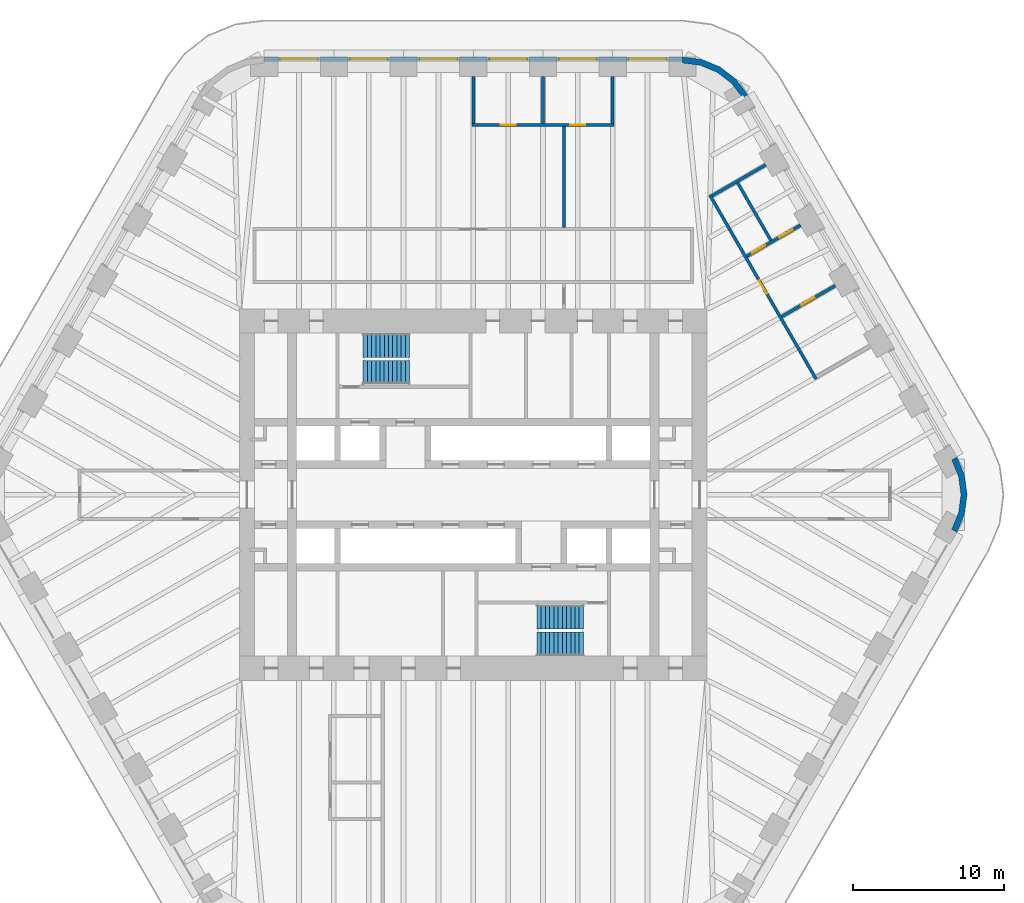
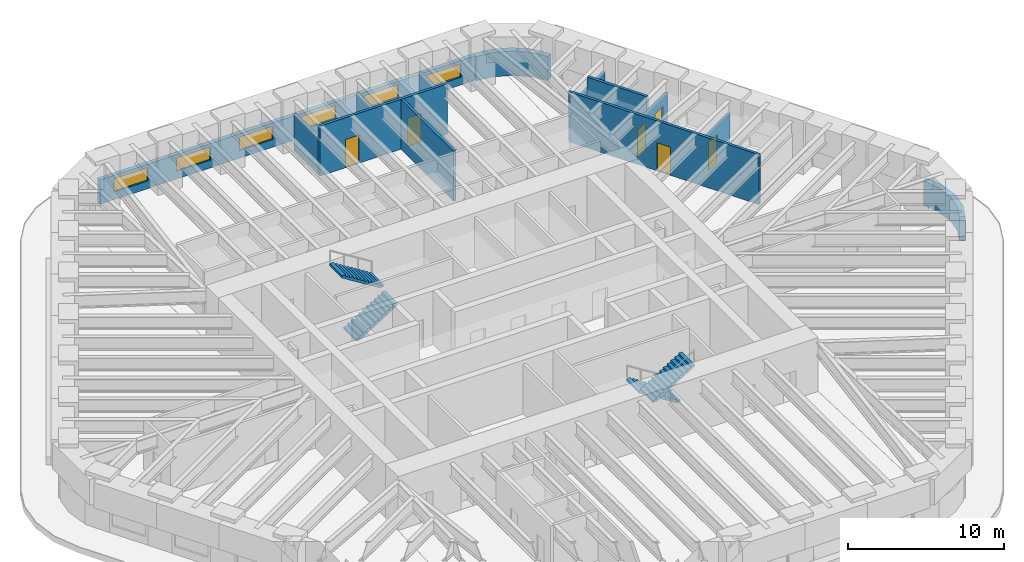
# One storey, part 10 of 12: 13 walls, 6 doors, 6 windows, 4 stair flights, 12 openings, 2 elements without a shape of their own.
"""IFC4 building model written with IfcOpenShell, lengths in metres."""

import ifcopenshell
import ifcopenshell.guid

model = None  # the IFC model being written
_history = None  # IfcOwnerHistory: only IFC2X3 demands one
_inside = {}  # id of a spatial element -> (the spatial element, [elements in it])
_under = {}  # id of a project, library or spatial element -> (it, [spatial elements below it])
_declared = {}  # id of a project -> (the project, [libraries it declares])
_typed = {}  # id of a type object -> (the type object, [elements of that type])
_made_of = {}  # id of a material, layer set ... -> (it, [elements and type objects made of it])


def new_model(schema):
    """Start an empty IFC model of exactly this schema.

    Asked for "IFC4X3", IfcOpenShell would pick the latest addendum, in which some entities
    have other attributes; the version numbers below select the first issue.
    IFC2X3 requires an IfcOwnerHistory on every rooted entity: one is made here for all.
    """
    global model, _history
    if schema == "IFC4X3":
        model = ifcopenshell.file(schema_version=(4, 3, 0, 0))
    else:
        model = ifcopenshell.file(schema=schema)
    _inside.clear()
    _under.clear()
    _declared.clear()
    _typed.clear()
    _made_of.clear()
    _history = None
    if model.schema == "IFC2X3":
        org = make("IfcOrganization", Name="unknown")
        user = make(
            "IfcPersonAndOrganization",
            ThePerson=make("IfcPerson", FamilyName="unknown"),
            TheOrganization=org,
        )
        app = make(
            "IfcApplication",
            ApplicationDeveloper=org,
            Version="unknown",
            ApplicationFullName="unknown",
            ApplicationIdentifier="unknown",
        )
        _history = make(
            "IfcOwnerHistory",
            OwningUser=user,
            OwningApplication=app,
            ChangeAction="ADDED",
            CreationDate=0,
        )
    return model


def make(cls, **values):
    """One entity of the class cls with the attributes given. An attribute that is None is left unset."""
    return model.create_entity(
        cls, **{name: value for name, value in values.items() if value is not None}
    )


def rooted(cls, **values):
    """An entity with a GlobalId (a new one), such as an element, a storey or a relation."""
    return make(cls, GlobalId=ifcopenshell.guid.new(), OwnerHistory=_history, **values)


def si_unit(unit_type, name, prefix=None):
    """IfcSIUnit, for example si_unit("LENGTHUNIT", "METRE", prefix="MILLI")."""
    return make("IfcSIUnit", UnitType=unit_type, Prefix=prefix, Name=name)


def assignment(units):
    """IfcUnitAssignment: the units of a project."""
    return None if units is None else make("IfcUnitAssignment", Units=units)


def point(xyz):
    """IfcCartesianPoint."""
    return None if xyz is None else make("IfcCartesianPoint", Coordinates=xyz)


def direction(xyz):
    """IfcDirection."""
    return None if xyz is None else make("IfcDirection", DirectionRatios=xyz)


def frame(location, z_axis=None, x_axis=None):
    """IfcAxis2Placement3D, a coordinate frame: its origin and axes. An axis left out is left unset."""
    return make(
        "IfcAxis2Placement3D",
        Location=point(location),
        Axis=direction(z_axis),
        RefDirection=direction(x_axis),
    )


def frame_2d(location, x_axis=None):
    """IfcAxis2Placement2D, a coordinate frame in the plane: its origin and x axis."""
    return make(
        "IfcAxis2Placement2D", Location=point(location), RefDirection=direction(x_axis)
    )


def origin():
    """The frame at (0, 0, 0) with its axes left unset."""
    return frame((0.0, 0.0, 0.0))


def place(relative_to, where):
    """IfcLocalPlacement: puts the frame where relative to a parent placement (None: the world)."""
    return make(
        "IfcLocalPlacement", PlacementRelTo=relative_to, RelativePlacement=where
    )


def context(
    kind, dimensions, precision=None, world=None, true_north=None, identifier=None
):
    """IfcGeometricRepresentationContext, for example the 3D "Model" context."""
    return make(
        "IfcGeometricRepresentationContext",
        ContextIdentifier=identifier,
        ContextType=kind,
        CoordinateSpaceDimension=dimensions,
        Precision=precision,
        WorldCoordinateSystem=world,
        TrueNorth=true_north,
    )


def subcontext(parent, identifier, kind, view, scale=None):
    """IfcGeometricRepresentationSubContext, for example "Body" below "Model"."""
    return make(
        "IfcGeometricRepresentationSubContext",
        ContextIdentifier=identifier,
        ContextType=kind,
        ParentContext=parent,
        TargetScale=scale,
        TargetView=view,
    )


def project(units=None, contexts=None):
    """IfcProject with its units and contexts."""
    return rooted(
        "IfcProject",
        Name="project",
        RepresentationContexts=contexts,
        UnitsInContext=assignment(units),
    )


def spatial(cls, under=None, at=None, **own):
    """A site, building, storey or space (cls), placed at a placement, below another one or the project."""
    s = rooted(cls, ObjectPlacement=at, **own)
    if under is not None:
        _under.setdefault(under.id(), (under, []))[1].append(s)
    return s


def polyline(points):
    """IfcPolyline through the points."""
    return make("IfcPolyline", Points=[point(p) for p in points])


def profile(cls, at=None, kind="AREA", **sizes):
    """A parametric profile (cls). Its sizes go by their IFC names, for example OverallWidth=200.0."""
    return make(cls, ProfileType=kind, Position=at, **sizes)


def rectangle(**sizes):
    """IfcRectangleProfileDef."""
    return profile("IfcRectangleProfileDef", **sizes)


def outline(outer, holes=None, kind="AREA"):
    """IfcArbitraryClosedProfileDef: a profile drawn as a closed curve; with holes, ...WithVoids."""
    if holes is None:
        return make("IfcArbitraryClosedProfileDef", ProfileType=kind, OuterCurve=outer)
    return make(
        "IfcArbitraryProfileDefWithVoids",
        ProfileType=kind,
        OuterCurve=outer,
        InnerCurves=holes,
    )


def extrude(swept, where, along, depth):
    """IfcExtrudedAreaSolid: the profile swept, set in the frame where, extruded along a direction by depth."""
    return make(
        "IfcExtrudedAreaSolid",
        SweptArea=swept,
        Position=where,
        ExtrudedDirection=direction(along),
        Depth=depth,
    )


def shape(context_of_items, identifier, shape_type, items):
    """IfcShapeRepresentation: the items that make up one representation, for example the "Body"."""
    return make(
        "IfcShapeRepresentation",
        ContextOfItems=context_of_items,
        RepresentationIdentifier=identifier,
        RepresentationType=shape_type,
        Items=items,
    )


def material(Name=None, Category=None):
    """IfcMaterial."""
    return make("IfcMaterial", Name=Name, Category=Category)


def layer(
    of_material, thickness, ventilated=None, Name=None, Category=None, Priority=None
):
    """IfcMaterialLayer: one layer of a wall or slab, of a material (None: an air gap)."""
    return make(
        "IfcMaterialLayer",
        Material=of_material,
        LayerThickness=thickness,
        IsVentilated=ventilated,
        Name=Name,
        Category=Category,
        Priority=Priority,
    )


def layer_set(layers, Name=None):
    """IfcMaterialLayerSet."""
    return make("IfcMaterialLayerSet", MaterialLayers=layers, LayerSetName=Name)


def made_of(thing, what):
    """Note that an element or type object is made of a material, layer set ...; save() writes the relation."""
    if what is not None:
        _made_of.setdefault(what.id(), (what, []))[1].append(thing)
    return thing


def type_object(cls, material=None, **own):
    """A type object (cls), such as IfcWallType, which elements share."""
    return made_of(rooted(cls, **own), material)


def element(
    cls,
    number,
    at=None,
    inside=None,
    cuts=None,
    type_object=None,
    material=None,
    context=None,
    identifier="Body",
    shape_type=None,
    held_by="IfcProductDefinitionShape",
    body=None,
    shapes=None,
    **own,
):
    """One element of the class cls, such as IfcWall. Its Tag is "e" and its number.

    at: its placement. inside: the storey or other place that contains it. cuts: it is an
    opening in that element (IfcRelVoidsElement). A single representation is given by context,
    identifier, shape_type and body (its items); several are given by shapes. held_by: the class
    of the entity that holds the representations. save() writes the other relations.
    """
    e = rooted(cls, Tag="e%d" % number, ObjectPlacement=at, **own)
    if body is not None:
        shapes = [shape(context, identifier, shape_type, body)]
    if shapes is not None:
        e.Representation = make(held_by, Representations=shapes)
    if inside is not None:
        _inside.setdefault(inside.id(), (inside, []))[1].append(e)
    if cuts is not None:
        rooted(
            "IfcRelVoidsElement", RelatingBuildingElement=cuts, RelatedOpeningElement=e
        )
    if type_object is not None:
        _typed.setdefault(type_object.id(), (type_object, []))[1].append(e)
    return made_of(e, material)


def fill(opening, filler):
    """IfcRelFillsElement: the door or window that sits in an opening."""
    return rooted(
        "IfcRelFillsElement",
        RelatingOpeningElement=opening,
        RelatedBuildingElement=filler,
    )


def aggregate(whole, parts):
    """IfcRelAggregates: a whole, such as a stair, and the parts it consists of."""
    return rooted("IfcRelAggregates", RelatingObject=whole, RelatedObjects=parts)


def save(model, path):
    """Write the relations noted so far, then the file.

    IfcRelAggregates (storeys below a building ...), IfcRelContainedInSpatialStructure (elements
    in a storey), IfcRelDefinesByType, IfcRelAssociatesMaterial and IfcRelDeclares: one each for
    every whole, place, type object, material and project.
    """
    for whole, parts in _under.values():
        aggregate(whole, parts)
    for where, things in _inside.values():
        rooted(
            "IfcRelContainedInSpatialStructure",
            RelatedElements=things,
            RelatingStructure=where,
        )
    for kind, things in _typed.values():
        rooted("IfcRelDefinesByType", RelatedObjects=things, RelatingType=kind)
    for what, things in _made_of.values():
        rooted("IfcRelAssociatesMaterial", RelatedObjects=things, RelatingMaterial=what)
    for by, libraries in _declared.values():
        rooted("IfcRelDeclares", RelatingContext=by, RelatedDefinitions=libraries)
    model.write(path)


model = new_model("IFC4")

# Units and contexts
model_context = context("Model", 3, precision=1e-05, world=origin(), true_north=direction((0.0, 1.0)))
body_context = subcontext(model_context, "Body", "Model", "MODEL_VIEW")
ifc_project = project(units=[si_unit("LENGTHUNIT", "METRE"), si_unit("AREAUNIT", "SQUARE_METRE"), si_unit("VOLUMEUNIT", "CUBIC_METRE"), si_unit("PLANEANGLEUNIT", "RADIAN"), si_unit("MASSUNIT", "GRAM", prefix="KILO")], contexts=[model_context])

# Site, building, storey
site_placement = place(None, origin())
site = spatial("IfcSite", under=ifc_project, at=site_placement, CompositionType="ELEMENT")
building_placement = place(site_placement, origin())
building = spatial("IfcBuilding", under=site, at=building_placement, Name="Tarfa Lantern Tower", CompositionType="ELEMENT")
storey_placement = place(building_placement, frame((0.0, 0.0, 295.300048828125)))
storey = spatial("IfcBuildingStorey", under=building, at=storey_placement, Name="L67", CompositionType="ELEMENT", Elevation=295.300048828125)

# Wall, openings, windows
ifc_material_1 = material(Name="Limestone cladding on blockwork", Category="masonry")
ifc_layer_1 = layer(ifc_material_1, 0.300048828125)
ifc_layer_set_1 = layer_set([ifc_layer_1], Name="EW1 STONE-CLAD WALL 300")
wall_type_1 = type_object("IfcWallType", Name="EW1 STONE-CLAD WALL 300", PredefinedType="SOLIDWALL", material=ifc_layer_set_1)
wall_1_placement = place(storey_placement, frame((13.8564453125, 28.85009765625, 0.0), z_axis=(0.0, 0.0, 1.0), x_axis=(-1.0, 0.0, 0.0)))
wall_1 = element("IfcWall", 1, at=wall_1_placement, inside=storey, type_object=wall_type_1, Name="Stone wall N", PredefinedType="SOLIDWALL", context=body_context, shape_type="SweptSolid", body=[
    extrude(rectangle(XDim=27.712890625, YDim=0.300048828125, at=frame_2d((13.8564453125, 0.0))), origin(), (0.0, 0.0, 1.0), 1.89990234375),
])
opening_1_placement = place(wall_1_placement, frame((1.059326171875, 0.0, 0.60009765625)))
opening_1 = element("IfcOpeningElement", 2, at=opening_1_placement, cuts=wall_1, Name="Opening W15", PredefinedType="OPENING", context=body_context, shape_type="SweptSolid", body=[
    extrude(rectangle(XDim=2.5, YDim=1.050048828125, at=frame_2d((1.25, 0.52490234375))), frame((0.0, 0.159912109375, 0.0), z_axis=(0.0, -1.0, 0.0), x_axis=(1.0, 0.0, 0.0)), (0.0, 0.0, 1.0), 0.320068359375),
])
opening_2_placement = place(wall_1_placement, frame((5.67822265625, 0.0, 0.60009765625)))
opening_2 = element("IfcOpeningElement", 3, at=opening_2_placement, cuts=wall_1, Name="Opening W15", PredefinedType="OPENING", context=body_context, shape_type="SweptSolid", body=[
    extrude(rectangle(XDim=2.5, YDim=1.050048828125, at=frame_2d((1.25, 0.52490234375))), frame((0.0, 0.159912109375, 0.0), z_axis=(0.0, -1.0, 0.0), x_axis=(1.0, 0.0, 0.0)), (0.0, 0.0, 1.0), 0.320068359375),
])
opening_3_placement = place(wall_1_placement, frame((10.297119140625, 0.0, 0.60009765625)))
opening_3 = element("IfcOpeningElement", 4, at=opening_3_placement, cuts=wall_1, Name="Opening W15", PredefinedType="OPENING", context=body_context, shape_type="SweptSolid", body=[
    extrude(rectangle(XDim=2.5, YDim=1.050048828125, at=frame_2d((1.25, 0.52490234375))), frame((0.0, 0.159912109375, 0.0), z_axis=(0.0, -1.0, 0.0), x_axis=(1.0, 0.0, 0.0)), (0.0, 0.0, 1.0), 0.320068359375),
])
opening_4_placement = place(wall_1_placement, frame((14.915771484375, 0.0, 0.60009765625)))
opening_4 = element("IfcOpeningElement", 5, at=opening_4_placement, cuts=wall_1, Name="Opening W15", PredefinedType="OPENING", context=body_context, shape_type="SweptSolid", body=[
    extrude(rectangle(XDim=2.5, YDim=1.050048828125, at=frame_2d((1.25, 0.52490234375))), frame((0.0, 0.159912109375, 0.0), z_axis=(0.0, -1.0, 0.0), x_axis=(1.0, 0.0, 0.0)), (0.0, 0.0, 1.0), 0.320068359375),
])
opening_5_placement = place(wall_1_placement, frame((19.53466796875, 0.0, 0.60009765625)))
opening_5 = element("IfcOpeningElement", 6, at=opening_5_placement, cuts=wall_1, Name="Opening W15", PredefinedType="OPENING", context=body_context, shape_type="SweptSolid", body=[
    extrude(rectangle(XDim=2.5, YDim=1.050048828125, at=frame_2d((1.25, 0.52490234375))), frame((0.0, 0.159912109375, 0.0), z_axis=(0.0, -1.0, 0.0), x_axis=(1.0, 0.0, 0.0)), (0.0, 0.0, 1.0), 0.320068359375),
])
opening_6_placement = place(wall_1_placement, frame((24.1533203125, 0.0, 0.60009765625)))
opening_6 = element("IfcOpeningElement", 7, at=opening_6_placement, cuts=wall_1, Name="Opening W15", PredefinedType="OPENING", context=body_context, shape_type="SweptSolid", body=[
    extrude(rectangle(XDim=2.5, YDim=1.050048828125, at=frame_2d((1.25, 0.52490234375))), frame((0.0, 0.159912109375, 0.0), z_axis=(0.0, -1.0, 0.0), x_axis=(1.0, 0.0, 0.0)), (0.0, 0.0, 1.0), 0.320068359375),
])
ifc_material_2 = material(Name="Aluminium frame, double glazed", Category="aluminium")
window_type = type_object("IfcWindowType", Name="W15 FULL-HEIGHT GLAZING 2500x1050", PartitioningType="SINGLE_PANEL", PredefinedType="WINDOW", material=ifc_material_2)
window_1_placement = place(opening_1_placement, origin())
window_1 = element("IfcWindow", 8, at=window_1_placement, inside=storey, type_object=window_type, Name="Window N 1", OverallHeight=1.050048828125, OverallWidth=2.5, PartitioningType="SINGLE_PANEL", PredefinedType="WINDOW", context=body_context, shape_type="SweptSolid", body=[
    extrude(rectangle(XDim=2.5, YDim=1.050048828125, at=frame_2d((1.25, 0.52490234375))), frame((0.0, 0.030029296875, 0.0), z_axis=(0.0, -1.0, 0.0), x_axis=(1.0, 0.0, 0.0)), (0.0, 0.0, 1.0), 0.06005859375),
])
fill(opening_1, window_1)
window_2_placement = place(opening_2_placement, origin())
window_2 = element("IfcWindow", 9, at=window_2_placement, inside=storey, type_object=window_type, Name="Window N 2", OverallHeight=1.050048828125, OverallWidth=2.5, PartitioningType="SINGLE_PANEL", PredefinedType="WINDOW", context=body_context, shape_type="SweptSolid", body=[
    extrude(rectangle(XDim=2.5, YDim=1.050048828125, at=frame_2d((1.25, 0.52490234375))), frame((0.0, 0.030029296875, 0.0), z_axis=(0.0, -1.0, 0.0), x_axis=(1.0, 0.0, 0.0)), (0.0, 0.0, 1.0), 0.06005859375),
])
fill(opening_2, window_2)
window_3_placement = place(opening_3_placement, origin())
window_3 = element("IfcWindow", 10, at=window_3_placement, inside=storey, type_object=window_type, Name="Window N 3", OverallHeight=1.050048828125, OverallWidth=2.5, PartitioningType="SINGLE_PANEL", PredefinedType="WINDOW", context=body_context, shape_type="SweptSolid", body=[
    extrude(rectangle(XDim=2.5, YDim=1.050048828125, at=frame_2d((1.25, 0.52490234375))), frame((0.0, 0.030029296875, 0.0), z_axis=(0.0, -1.0, 0.0), x_axis=(1.0, 0.0, 0.0)), (0.0, 0.0, 1.0), 0.06005859375),
])
fill(opening_3, window_3)
window_4_placement = place(opening_4_placement, origin())
window_4 = element("IfcWindow", 11, at=window_4_placement, inside=storey, type_object=window_type, Name="Window N 4", OverallHeight=1.050048828125, OverallWidth=2.5, PartitioningType="SINGLE_PANEL", PredefinedType="WINDOW", context=body_context, shape_type="SweptSolid", body=[
    extrude(rectangle(XDim=2.5, YDim=1.050048828125, at=frame_2d((1.25, 0.52490234375))), frame((0.0, 0.030029296875, 0.0), z_axis=(0.0, -1.0, 0.0), x_axis=(1.0, 0.0, 0.0)), (0.0, 0.0, 1.0), 0.06005859375),
])
fill(opening_4, window_4)
window_5_placement = place(opening_5_placement, origin())
window_5 = element("IfcWindow", 12, at=window_5_placement, inside=storey, type_object=window_type, Name="Window N 5", OverallHeight=1.050048828125, OverallWidth=2.5, PartitioningType="SINGLE_PANEL", PredefinedType="WINDOW", context=body_context, shape_type="SweptSolid", body=[
    extrude(rectangle(XDim=2.5, YDim=1.050048828125, at=frame_2d((1.25, 0.52490234375))), frame((0.0, 0.030029296875, 0.0), z_axis=(0.0, -1.0, 0.0), x_axis=(1.0, 0.0, 0.0)), (0.0, 0.0, 1.0), 0.06005859375),
])
fill(opening_5, window_5)
window_6_placement = place(opening_6_placement, origin())
window_6 = element("IfcWindow", 13, at=window_6_placement, inside=storey, type_object=window_type, Name="Window N 6", OverallHeight=1.050048828125, OverallWidth=2.5, PartitioningType="SINGLE_PANEL", PredefinedType="WINDOW", context=body_context, shape_type="SweptSolid", body=[
    extrude(rectangle(XDim=2.5, YDim=1.050048828125, at=frame_2d((1.25, 0.52490234375))), frame((0.0, 0.030029296875, 0.0), z_axis=(0.0, -1.0, 0.0), x_axis=(1.0, 0.0, 0.0)), (0.0, 0.0, 1.0), 0.06005859375),
])
fill(opening_6, window_6)

# Walls
ifc_layer_2 = layer(ifc_material_1, 0.39990234375)
ifc_layer_set_2 = layer_set([ifc_layer_2], Name="EW2 CURVED STONE CORNER 400")
wall_type_2 = type_object("IfcWallType", Name="EW2 CURVED STONE CORNER 400", PredefinedType="SOLIDWALL", material=ifc_layer_set_2)
wall_2_placement = place(storey_placement, origin())
element("IfcWall", 14, at=wall_2_placement, inside=storey, type_object=wall_type_2, Name="Stone corner NE-N", PredefinedType="SOLIDWALL", context=body_context, shape_type="SweptSolid", body=[
    extrude(outline(polyline([(18.1865234375, 26.5), (17.391845703125, 27.53564453125), (16.3564453125, 28.330078125), (15.150390625, 28.82958984375), (13.8564453125, 29.0), (13.8564453125, 28.60009765625), (15.046875, 28.443359375), (16.156494140625, 27.983642578125), (17.109130859375, 27.252685546875), (17.840087890625, 26.300048828125), (18.1865234375, 26.5)])), origin(), (0.0, 0.0, 1.0), 1.89990234375),
])
wall_3_placement = place(storey_placement, origin())
element("IfcWall", 15, at=wall_3_placement, inside=storey, type_object=wall_type_2, Name="Stone corner SE-NE", PredefinedType="SOLIDWALL", context=body_context, shape_type="SweptSolid", body=[
    extrude(outline(polyline([(32.04296875, -2.5), (32.54248046875, -1.294189453125), (32.712890625, 0.0), (32.54248046875, 1.294189453125), (32.04296875, 2.5), (31.696533203125, 2.300048828125), (32.156005859375, 1.190673828125), (32.312744140625, 0.0), (32.156005859375, -1.190673828125), (31.696533203125, -2.300048828125), (32.04296875, -2.5)])), origin(), (0.0, 0.0, 1.0), 1.89990234375),
])

# Wall, openings, doors
ifc_material_3 = material(Name="Gypsum board on steel studs", Category="steel")
ifc_layer_3 = layer(ifc_material_3, 0.2099609375)
ifc_layer_set_3 = layer_set([ifc_layer_3], Name="IW2 ACOUSTIC PARTITION 200")
wall_type_3 = type_object("IfcWallType", Name="IW2 ACOUSTIC PARTITION 200", PredefinedType="PARTITIONING", material=ifc_layer_set_3)
wall_4_placement = place(storey_placement, frame((9.337646484375, 24.5, 0.0), z_axis=(0.0, 0.0, 1.0), x_axis=(-1.0, 0.0, 0.0)))
wall_4 = element("IfcWall", 16, at=wall_4_placement, inside=storey, type_object=wall_type_3, Name="Partition", PredefinedType="PARTITIONING", context=body_context, shape_type="SweptSolid", body=[
    extrude(rectangle(XDim=9.437744140625, YDim=0.199951171875, at=frame_2d((4.71875, 0.0))), origin(), (0.0, 0.0, 1.0), 3.89990234375),
])
opening_7_placement = place(wall_4_placement, frame((1.909423828125, 0.0, 0.0)))
opening_7 = element("IfcOpeningElement", 17, at=opening_7_placement, cuts=wall_4, Name="Opening D27", PredefinedType="OPENING", context=body_context, shape_type="SweptSolid", body=[
    extrude(rectangle(XDim=1.0, YDim=2.199951171875, at=frame_2d((0.5, 1.10009765625))), frame((0.0, 0.10986328125, 0.0), z_axis=(0.0, -1.0, 0.0), x_axis=(1.0, 0.0, 0.0)), (0.0, 0.0, 1.0), 0.219970703125),
])
opening_8_placement = place(wall_4_placement, frame((6.5283203125, 0.0, 0.0)))
opening_8 = element("IfcOpeningElement", 18, at=opening_8_placement, cuts=wall_4, Name="Opening D28", PredefinedType="OPENING", context=body_context, shape_type="SweptSolid", body=[
    extrude(rectangle(XDim=1.0, YDim=2.199951171875, at=frame_2d((0.5, 1.10009765625))), frame((0.0, 0.10986328125, 0.0), z_axis=(0.0, -1.0, 0.0), x_axis=(1.0, 0.0, 0.0)), (0.0, 0.0, 1.0), 0.219970703125),
])
ifc_material_4 = material(Name="Timber door", Category="wood")
door_type = type_object("IfcDoorType", Name="DR1 ROOM DOOR 1000x2200", OperationType="SINGLE_SWING_LEFT", PredefinedType="DOOR", material=ifc_material_4)
door_1_placement = place(opening_7_placement, frame((1.0, 0.0, 0.0), z_axis=(0.0, 0.0, 1.0), x_axis=(-1.0, 0.0, 0.0)))
door_1 = element("IfcDoor", 19, at=door_1_placement, inside=storey, type_object=door_type, Name="Office door", OperationType="SINGLE_SWING_LEFT", OverallHeight=2.199951171875, OverallWidth=1.0, PredefinedType="DOOR", context=body_context, shape_type="SweptSolid", body=[
    extrude(rectangle(XDim=1.0, YDim=2.199951171875, at=frame_2d((0.5, 1.10009765625))), frame((0.0, 0.02490234375, 0.0), z_axis=(0.0, -1.0, 0.0), x_axis=(1.0, 0.0, 0.0)), (0.0, 0.0, 1.0), 0.050048828125),
])
fill(opening_7, door_1)
door_2_placement = place(opening_8_placement, frame((1.0, 0.0, 0.0), z_axis=(0.0, 0.0, 1.0), x_axis=(-1.0, 0.0, 0.0)))
door_2 = element("IfcDoor", 20, at=door_2_placement, inside=storey, type_object=door_type, Name="Office door", OperationType="SINGLE_SWING_RIGHT", OverallHeight=2.199951171875, OverallWidth=1.0, PredefinedType="DOOR", context=body_context, shape_type="SweptSolid", body=[
    extrude(rectangle(XDim=1.0, YDim=2.199951171875, at=frame_2d((0.5, 1.10009765625))), frame((0.0, 0.02490234375, 0.0), z_axis=(0.0, -1.0, 0.0), x_axis=(1.0, 0.0, 0.0)), (0.0, 0.0, 1.0), 0.050048828125),
])
fill(opening_8, door_2)

# Walls
for number, where, z_axis, x_axis, name in (
    (21, (9.237548828125, 24.60009765625, 0.0), (0.0, 0.0, 1.0), (0.0, 1.0, 0.0), "Partition"),
    (22, (4.618896484375, 24.60009765625, 0.0), (0.0, 0.0, 1.0), (0.0, 1.0, 0.0), "Partition"),
    (23, (0.0, 24.60009765625, 0.0), (0.0, 0.0, 1.0), (0.0, 1.0, 0.0), "Partition"),
):
    element("IfcWall", number, at=place(storey_placement, frame(where, z_axis=z_axis, x_axis=x_axis)), inside=storey, type_object=wall_type_3, Name=name, PredefinedType="PARTITIONING", context=body_context, shape_type="SweptSolid", body=[
        extrude(rectangle(XDim=3.099853515625, YDim=0.199951171875, at=frame_2d((1.5498046875, 0.0))), origin(), (0.0, 0.0, 1.0), 2.843994140625),
    ])

# Wall, opening, door
wall_5_placement = place(storey_placement, frame((22.7109375, 7.663330078125, 0.0), z_axis=(0.0, 0.0, 1.0), x_axis=(-0.499989069193, 0.866031714597, 0.0)))
wall_5 = element("IfcWall", 24, at=wall_5_placement, inside=storey, type_object=wall_type_3, Name="Partition", PredefinedType="PARTITIONING", context=body_context, shape_type="SweptSolid", body=[
    extrude(rectangle(XDim=14.056396484375, YDim=0.199951171875, at=frame_2d((7.0283203125, 0.0))), origin(), (0.0, 0.0, 1.0), 3.89990234375),
])
opening_9_placement = place(wall_5_placement, frame((6.5283203125, 0.0, 0.0)))
opening_9 = element("IfcOpeningElement", 25, at=opening_9_placement, cuts=wall_5, Name="Opening D30", PredefinedType="OPENING", context=body_context, shape_type="SweptSolid", body=[
    extrude(rectangle(XDim=1.0, YDim=2.199951171875, at=frame_2d((0.5, 1.10009765625))), frame((0.0, 0.10986328125, 0.0), z_axis=(0.0, -1.0, 0.0), x_axis=(1.0, 0.0, 0.0)), (0.0, 0.0, 1.0), 0.219970703125),
])
door_3_placement = place(opening_9_placement, frame((1.0, 0.0, 0.0), z_axis=(0.0, 0.0, 1.0), x_axis=(-1.0, 0.0, 0.0)))
door_3 = element("IfcDoor", 26, at=door_3_placement, inside=storey, type_object=door_type, Name="Strategy reception door", OperationType="SINGLE_SWING_RIGHT", OverallHeight=2.199951171875, OverallWidth=1.0, PredefinedType="DOOR", context=body_context, shape_type="SweptSolid", body=[
    extrude(rectangle(XDim=1.0, YDim=2.199951171875, at=frame_2d((0.5, 1.10009765625))), frame((0.0, 0.02490234375, 0.0), z_axis=(0.0, -1.0, 0.0), x_axis=(1.0, 0.0, 0.0)), (0.0, 0.0, 1.0), 0.050048828125),
])
fill(opening_9, door_3)

wall_6_placement = place(storey_placement, frame((20.438232421875, 11.800048828125, 0.0), z_axis=(0.0, 0.0, 1.0), x_axis=(0.8660249478, 0.500000789788, 0.0)))
wall_6 = element("IfcWall", 27, at=wall_6_placement, inside=storey, type_object=wall_type_3, Name="Partition", PredefinedType="PARTITIONING", context=body_context, shape_type="SweptSolid", body=[
    extrude(rectangle(XDim=4.10009765625, YDim=0.199951171875, at=frame_2d((2.050048828125, 0.0))), origin(), (0.0, 0.0, 1.0), 2.891845703125),
])
opening_10_placement = place(wall_6_placement, frame((1.5, 0.0, 0.0)))
opening_10 = element("IfcOpeningElement", 28, at=opening_10_placement, cuts=wall_6, Name="Opening D29", PredefinedType="OPENING", context=body_context, shape_type="SweptSolid", body=[
    extrude(rectangle(XDim=1.0, YDim=2.199951171875, at=frame_2d((0.5, 1.10009765625))), frame((0.0, 0.10986328125, 0.0), z_axis=(0.0, -1.0, 0.0), x_axis=(1.0, 0.0, 0.0)), (0.0, 0.0, 1.0), 0.219970703125),
])
door_4_placement = place(opening_10_placement, frame((1.0, 0.0, 0.0), z_axis=(0.0, 0.0, 1.0), x_axis=(-1.0, 0.0, 0.0)))
door_4 = element("IfcDoor", 29, at=door_4_placement, inside=storey, type_object=door_type, Name="Chief strategy officer's office door", OperationType="SINGLE_SWING_LEFT", OverallHeight=2.199951171875, OverallWidth=1.0, PredefinedType="DOOR", context=body_context, shape_type="SweptSolid", body=[
    extrude(rectangle(XDim=1.0, YDim=2.199951171875, at=frame_2d((0.5, 1.10009765625))), frame((0.0, 0.02490234375, 0.0), z_axis=(0.0, -1.0, 0.0), x_axis=(1.0, 0.0, 0.0)), (0.0, 0.0, 1.0), 0.050048828125),
])
fill(opening_10, door_4)

# Wall, openings, doors
wall_7_placement = place(storey_placement, frame((18.12890625, 15.800048828125, 0.0), z_axis=(0.0, 0.0, 1.0), x_axis=(0.866010060309, 0.500026574738, 0.0)))
wall_7 = element("IfcWall", 30, at=wall_7_placement, inside=storey, type_object=wall_type_3, Name="Partition", PredefinedType="PARTITIONING", context=body_context, shape_type="SweptSolid", body=[
    extrude(rectangle(XDim=4.099853515625, YDim=0.199951171875, at=frame_2d((2.0498046875, 0.0))), origin(), (0.0, 0.0, 1.0), 2.891845703125),
])
opening_11_placement = place(wall_7_placement, frame((0.39990234375, 0.0, 0.0)))
opening_11 = element("IfcOpeningElement", 31, at=opening_11_placement, cuts=wall_7, Name="Opening D31", PredefinedType="OPENING", context=body_context, shape_type="SweptSolid", body=[
    extrude(rectangle(XDim=1.0, YDim=2.199951171875, at=frame_2d((0.5, 1.10009765625))), frame((0.0, 0.10986328125, 0.0), z_axis=(0.0, -1.0, 0.0), x_axis=(1.0, 0.0, 0.0)), (0.0, 0.0, 1.0), 0.219970703125),
])
opening_12_placement = place(wall_7_placement, frame((2.5, 0.0, 0.0)))
opening_12 = element("IfcOpeningElement", 32, at=opening_12_placement, cuts=wall_7, Name="Opening D32", PredefinedType="OPENING", context=body_context, shape_type="SweptSolid", body=[
    extrude(rectangle(XDim=1.0, YDim=2.199951171875, at=frame_2d((0.5, 1.10009765625))), frame((0.0, 0.10986328125, 0.0), z_axis=(0.0, -1.0, 0.0), x_axis=(1.0, 0.0, 0.0)), (0.0, 0.0, 1.0), 0.219970703125),
])
door_5_placement = place(opening_11_placement, origin())
door_5 = element("IfcDoor", 33, at=door_5_placement, inside=storey, type_object=door_type, Name="Meeting room door", OperationType="SINGLE_SWING_RIGHT", OverallHeight=2.199951171875, OverallWidth=1.0, PredefinedType="DOOR", context=body_context, shape_type="SweptSolid", body=[
    extrude(rectangle(XDim=1.0, YDim=2.199951171875, at=frame_2d((0.5, 1.10009765625))), frame((0.0, 0.02490234375, 0.0), z_axis=(0.0, -1.0, 0.0), x_axis=(1.0, 0.0, 0.0)), (0.0, 0.0, 1.0), 0.050048828125),
])
fill(opening_11, door_5)
door_6_placement = place(opening_12_placement, origin())
door_6 = element("IfcDoor", 34, at=door_6_placement, inside=storey, type_object=door_type, Name="Pantry door", OperationType="SINGLE_SWING_RIGHT", OverallHeight=2.199951171875, OverallWidth=1.0, PredefinedType="DOOR", context=body_context, shape_type="SweptSolid", body=[
    extrude(rectangle(XDim=1.0, YDim=2.199951171875, at=frame_2d((0.5, 1.10009765625))), frame((0.0, 0.02490234375, 0.0), z_axis=(0.0, -1.0, 0.0), x_axis=(1.0, 0.0, 0.0)), (0.0, 0.0, 1.0), 0.050048828125),
])
fill(opening_12, door_6)

# Walls
wall_8_placement = place(storey_placement, frame((15.8193359375, 19.800048828125, 0.0), z_axis=(0.0, 0.0, 1.0), x_axis=(0.8660249478, 0.500000789788, 0.0)))
element("IfcWall", 35, at=wall_8_placement, inside=storey, type_object=wall_type_3, Name="Partition", PredefinedType="PARTITIONING", context=body_context, shape_type="SweptSolid", body=[
    extrude(rectangle(XDim=4.10009765625, YDim=0.199951171875, at=frame_2d((2.050048828125, 0.0))), origin(), (0.0, 0.0, 1.0), 2.891845703125),
])
wall_9_placement = place(storey_placement, frame((19.724365234375, 16.836669921875, 0.0), z_axis=(0.0, 0.0, 1.0), x_axis=(-0.500025355245, 0.866010764432, 0.0)))
element("IfcWall", 36, at=wall_9_placement, inside=storey, type_object=wall_type_3, Name="Partition", PredefinedType="PARTITIONING", context=body_context, shape_type="SweptSolid", body=[
    extrude(rectangle(XDim=4.418701171875, YDim=0.199951171875, at=frame_2d((2.20947265625, 0.0))), origin(), (0.0, 0.0, 1.0), 3.89990234375),
])
wall_10_placement = place(storey_placement, frame((6.0, 17.699951171875, 0.0), z_axis=(0.0, 0.0, 1.0), x_axis=(0.0, 1.0, 0.0)))
element("IfcWall", 37, at=wall_10_placement, inside=storey, type_object=wall_type_3, Name="Partition", PredefinedType="PARTITIONING", context=body_context, shape_type="SweptSolid", body=[
    extrude(rectangle(XDim=6.699951171875, YDim=0.199951171875, at=frame_2d((3.35009765625, 0.0))), origin(), (0.0, 0.0, 1.0), 3.89990234375),
])

# Stair, stair flights
ifc_material_5 = material(Name="Concrete C40/50", Category="concrete")
stair_type = type_object("IfcStairType", Name="ST-T10 HALF-TURN STAIR 4200 RISE", PredefinedType="HALF_TURN_STAIR", material=ifc_material_5)
stair_1_placement = place(storey_placement, origin())
stair_1 = element("IfcStair", 38, at=stair_1_placement, inside=storey, type_object=stair_type, Name="Stair ST1", PredefinedType="HALF_TURN_STAIR")
stair_flight_type = type_object("IfcStairFlightType", Name="SF1 STAIR FLIGHT", PredefinedType="STRAIGHT", material=ifc_material_5)
stair_flight_1_placement = place(storey_placement, frame((-7.300048828125, 8.10009765625, 0.0), z_axis=(0.0, 0.0, 1.0), x_axis=(1.0, 0.0, 0.0)))
stair_flight_1 = element("IfcStairFlight", 39, at=stair_flight_1_placement, type_object=stair_flight_type, Name="ST1 flight 1", NumberOfRisers=12, NumberOfTreads=11, PredefinedType="STRAIGHT", RiserHeight=0.175, TreadLength=0.28, context=body_context, shape_type="SweptSolid", body=[
    extrude(outline(polyline([(0.0, 0.0), (0.0, 0.175048828125), (0.280029296875, 0.175048828125), (0.280029296875, 0.35009765625), (0.56005859375, 0.35009765625), (0.56005859375, 0.52490234375), (0.840087890625, 0.52490234375), (0.840087890625, 0.699951171875), (1.1201171875, 0.699951171875), (1.1201171875, 0.875), (1.39990234375, 0.875), (1.39990234375, 1.050048828125), (1.679931640625, 1.050048828125), (1.679931640625, 1.22509765625), (1.9599609375, 1.22509765625), (1.9599609375, 1.39990234375), (2.239990234375, 1.39990234375), (2.239990234375, 1.574951171875), (2.52001953125, 1.574951171875), (2.52001953125, 1.75), (2.800048828125, 1.75), (2.800048828125, 1.925048828125), (3.080078125, 1.925048828125), (3.080078125, 2.10009765625), (3.080078125, 1.748291015625), (0.28271484375, 0.0), (0.0, 0.0)])), frame((0.0, 0.800048828125, 0.0), z_axis=(0.0, -1.0, 0.0), x_axis=(1.0, 0.0, 0.0)), (0.0, 0.0, 1.0), 1.60009765625),
])
stair_flight_2_placement = place(storey_placement, frame((-4.219970703125, 9.89990234375, 2.099853515625), z_axis=(0.0, 0.0, 1.0), x_axis=(-1.0, 0.0, 0.0)))
stair_flight_2 = element("IfcStairFlight", 40, at=stair_flight_2_placement, type_object=stair_flight_type, Name="ST1 flight 2", NumberOfRisers=12, NumberOfTreads=11, PredefinedType="STRAIGHT", RiserHeight=0.175, TreadLength=0.28, context=body_context, shape_type="SweptSolid", body=[
    extrude(outline(polyline([(0.0, 0.0), (0.0, 0.175048828125), (0.280029296875, 0.175048828125), (0.280029296875, 0.35009765625), (0.56005859375, 0.35009765625), (0.56005859375, 0.52490234375), (0.840087890625, 0.52490234375), (0.840087890625, 0.699951171875), (1.1201171875, 0.699951171875), (1.1201171875, 0.875), (1.39990234375, 0.875), (1.39990234375, 1.050048828125), (1.679931640625, 1.050048828125), (1.679931640625, 1.22509765625), (1.9599609375, 1.22509765625), (1.9599609375, 1.39990234375), (2.239990234375, 1.39990234375), (2.239990234375, 1.574951171875), (2.52001953125, 1.574951171875), (2.52001953125, 1.75), (2.800048828125, 1.75), (2.800048828125, 1.925048828125), (3.080078125, 1.925048828125), (3.080078125, 2.10009765625), (3.080078125, 1.748291015625), (0.28271484375, 0.0), (0.0, 0.0)])), frame((0.0, 0.800048828125, 0.0), z_axis=(0.0, -1.0, 0.0), x_axis=(1.0, 0.0, 0.0)), (0.0, 0.0, 1.0), 1.60009765625),
])
aggregate(stair_1, [stair_flight_1, stair_flight_2])

stair_2_placement = place(storey_placement, origin())
stair_2 = element("IfcStair", 41, at=stair_2_placement, inside=storey, type_object=stair_type, Name="Stair ST2", PredefinedType="HALF_TURN_STAIR")
stair_flight_3_placement = place(storey_placement, frame((7.300048828125, -8.10009765625, 0.0), z_axis=(0.0, 0.0, 1.0), x_axis=(-1.0, 0.0, 0.0)))
stair_flight_3 = element("IfcStairFlight", 42, at=stair_flight_3_placement, type_object=stair_flight_type, Name="ST2 flight 1", NumberOfRisers=12, NumberOfTreads=11, PredefinedType="STRAIGHT", RiserHeight=0.175, TreadLength=0.28, context=body_context, shape_type="SweptSolid", body=[
    extrude(outline(polyline([(0.0, 0.0), (0.0, 0.175048828125), (0.280029296875, 0.175048828125), (0.280029296875, 0.35009765625), (0.56005859375, 0.35009765625), (0.56005859375, 0.52490234375), (0.840087890625, 0.52490234375), (0.840087890625, 0.699951171875), (1.1201171875, 0.699951171875), (1.1201171875, 0.875), (1.39990234375, 0.875), (1.39990234375, 1.050048828125), (1.679931640625, 1.050048828125), (1.679931640625, 1.22509765625), (1.9599609375, 1.22509765625), (1.9599609375, 1.39990234375), (2.239990234375, 1.39990234375), (2.239990234375, 1.574951171875), (2.52001953125, 1.574951171875), (2.52001953125, 1.75), (2.800048828125, 1.75), (2.800048828125, 1.925048828125), (3.080078125, 1.925048828125), (3.080078125, 2.10009765625), (3.080078125, 1.748291015625), (0.28271484375, 0.0), (0.0, 0.0)])), frame((0.0, 0.800048828125, 0.0), z_axis=(0.0, -1.0, 0.0), x_axis=(1.0, 0.0, 0.0)), (0.0, 0.0, 1.0), 1.60009765625),
])
stair_flight_4_placement = place(storey_placement, frame((4.219970703125, -9.89990234375, 2.099853515625), z_axis=(0.0, 0.0, 1.0), x_axis=(1.0, 0.0, 0.0)))
stair_flight_4 = element("IfcStairFlight", 43, at=stair_flight_4_placement, type_object=stair_flight_type, Name="ST2 flight 2", NumberOfRisers=12, NumberOfTreads=11, PredefinedType="STRAIGHT", RiserHeight=0.175, TreadLength=0.28, context=body_context, shape_type="SweptSolid", body=[
    extrude(outline(polyline([(0.0, 0.0), (0.0, 0.175048828125), (0.280029296875, 0.175048828125), (0.280029296875, 0.35009765625), (0.56005859375, 0.35009765625), (0.56005859375, 0.52490234375), (0.840087890625, 0.52490234375), (0.840087890625, 0.699951171875), (1.1201171875, 0.699951171875), (1.1201171875, 0.875), (1.39990234375, 0.875), (1.39990234375, 1.050048828125), (1.679931640625, 1.050048828125), (1.679931640625, 1.22509765625), (1.9599609375, 1.22509765625), (1.9599609375, 1.39990234375), (2.239990234375, 1.39990234375), (2.239990234375, 1.574951171875), (2.52001953125, 1.574951171875), (2.52001953125, 1.75), (2.800048828125, 1.75), (2.800048828125, 1.925048828125), (3.080078125, 1.925048828125), (3.080078125, 2.10009765625), (3.080078125, 1.748291015625), (0.28271484375, 0.0), (0.0, 0.0)])), frame((0.0, 0.800048828125, 0.0), z_axis=(0.0, -1.0, 0.0), x_axis=(1.0, 0.0, 0.0)), (0.0, 0.0, 1.0), 1.60009765625),
])
aggregate(stair_2, [stair_flight_3, stair_flight_4])

save(model, "model.ifc")
